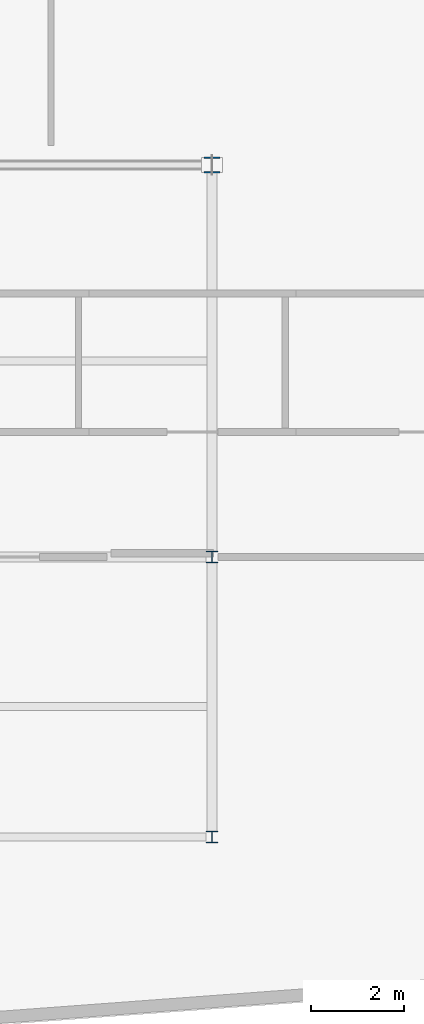
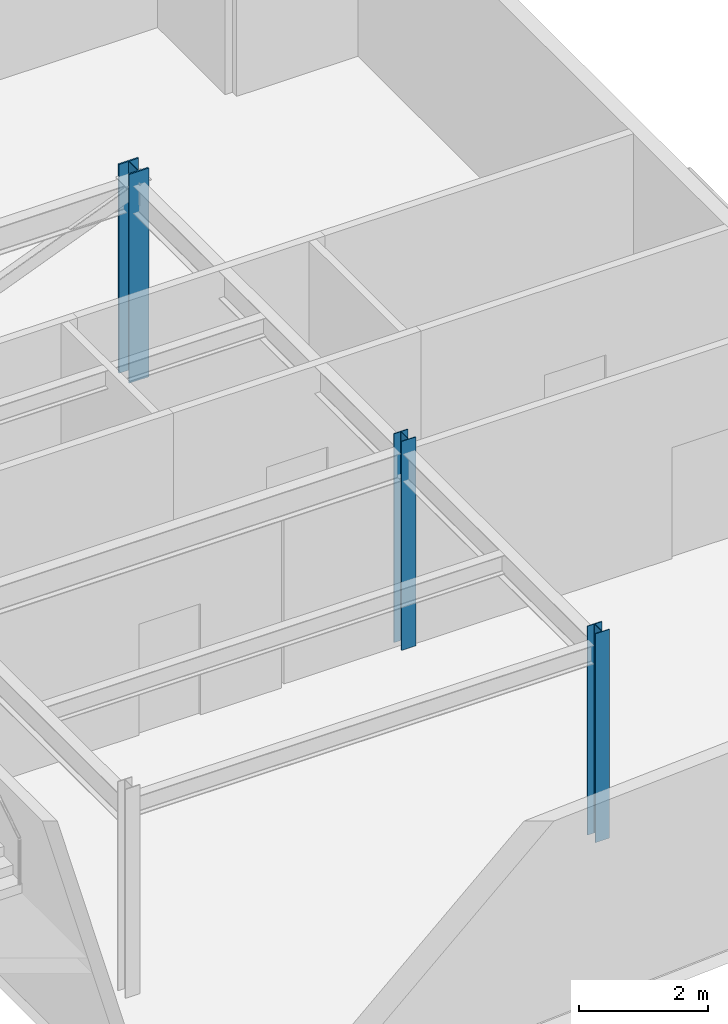
# One storey, part 3 of 16: 3 columns.
"""IFC4 building model written with IfcOpenShell, lengths in metres."""

from ifc_helpers import new_model, si_unit, direction, frame, origin, origin_2d, place, context, subcontext, project, spatial, i_section, extrude, material, material_profile, profile_set, type_object, element, save


model = new_model("IFC4")

# Units and contexts
model_context = context("Model", 3, precision=1e-05, world=origin(), true_north=direction((0.0, 1.0)))
body_context = subcontext(model_context, "Body", "Model", "MODEL_VIEW")
ifc_project = project(units=[si_unit("LENGTHUNIT", "METRE"), si_unit("AREAUNIT", "SQUARE_METRE"), si_unit("VOLUMEUNIT", "CUBIC_METRE"), si_unit("PLANEANGLEUNIT", "RADIAN"), si_unit("MASSUNIT", "GRAM", prefix="KILO")], contexts=[model_context])

# Site, building, storey
site_placement = place(None, origin())
site = spatial("IfcSite", under=ifc_project, at=site_placement, CompositionType="ELEMENT")
building_placement = place(site_placement, origin())
building = spatial("IfcBuilding", under=site, at=building_placement, Name="Varnakote Quay Hospital", CompositionType="ELEMENT")
storey_placement = place(building_placement, frame((0.0, 0.0, 272.35009765625)))
storey = spatial("IfcBuildingStorey", under=building, at=storey_placement, Name="L67", CompositionType="ELEMENT", Elevation=272.35009765625)

# Columns
ifc_material_1 = material(Name="Structural steel AS/NZS 3679.1 Grade 350 L0 (fy 340 MPa)", Category="steel")
ifc_material_profile_1 = material_profile(ifc_material_1, i_section(OverallWidth=0.25390625, OverallDepth=0.25390625, WebThickness=0.008544921875, FlangeThickness=0.01416015625, FilletRadius=0.0126953125, at=origin_2d()), Name="250UC72.9")
ifc_profile_set_1 = profile_set([ifc_material_profile_1], Name="Structural steel AS/NZS 3679.1 Grade 350 L0 (fy 340 MPa)")
column_type_1 = type_object("IfcColumnType", Name="COL-STL-250UC72-9", PredefinedType="COLUMN", material=ifc_profile_set_1)
for number, where, z_axis, x_axis, name in (
    (1, (33.60009765625, 6.0, 0.0), (0.0, 0.0, 1.0), (1.0, 0.0, 0.0), "L67 Structural Column C-34-6"),
    (2, (33.60009765625, 12.0, 0.0), (0.0, 0.0, 1.0), (1.0, 0.0, 0.0), "L67 Structural Column C-34-12"),
):
    element("IfcColumn", number, at=place(storey_placement, frame(where, z_axis=z_axis, x_axis=x_axis)), inside=storey, type_object=column_type_1, Name=name, PredefinedType="COLUMN", context=body_context, shape_type="SweptSolid", body=[
        extrude(i_section(OverallWidth=0.25390625, OverallDepth=0.25390625, WebThickness=0.008544921875, FlangeThickness=0.01416015625, FilletRadius=0.0126953125, at=origin_2d()), origin(), (0.0, 0.0, 1.0), 3.949951171875),
    ])
ifc_material_2 = material(Name="Structural steel AS/NZS 3678 Grade 350 (fy 340 MPa)", Category="steel")
ifc_material_profile_2 = material_profile(ifc_material_2, i_section(OverallWidth=0.35009765625, OverallDepth=0.340087890625, WebThickness=0.01611328125, FlangeThickness=0.028076171875, at=origin_2d()), Name="350WC197")
ifc_profile_set_2 = profile_set([ifc_material_profile_2], Name="Structural steel AS/NZS 3678 Grade 350 (fy 340 MPa)")
column_type_2 = type_object("IfcColumnType", Name="COL-STL-350WC197", PredefinedType="COLUMN", material=ifc_profile_set_2)
column_placement = place(storey_placement, frame((33.60009765625, 20.39990234375, 0.0), z_axis=(0.0, 0.0, 1.0), x_axis=(1.0, 0.0, 0.0)))
element("IfcColumn", 3, at=column_placement, inside=storey, type_object=column_type_2, Name="L67 Structural Column C-34-20", PredefinedType="COLUMN", context=body_context, shape_type="SweptSolid", body=[
    extrude(i_section(OverallWidth=0.35009765625, OverallDepth=0.340087890625, WebThickness=0.01611328125, FlangeThickness=0.028076171875, at=origin_2d()), origin(), (0.0, 0.0, 1.0), 3.949951171875),
])

save(model, "model.ifc")
